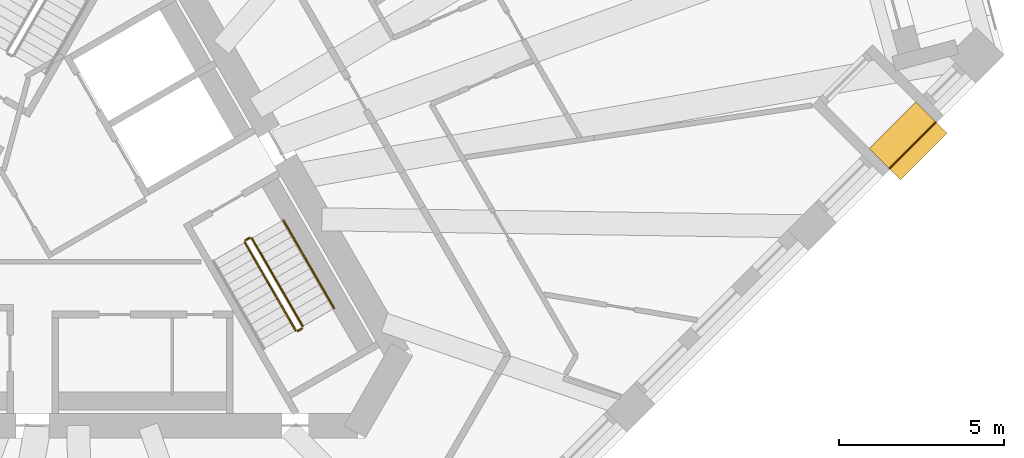
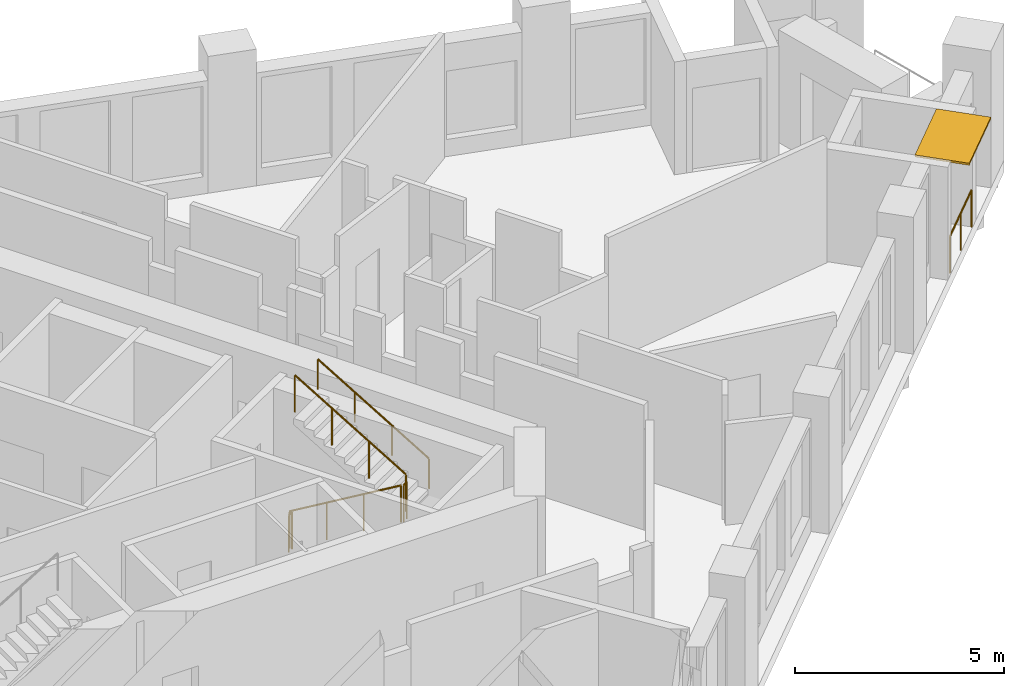
# One storey, part 11 of 13: 6 railings, 1 shading device.
"""IFC4 building model written with IfcOpenShell, lengths in metres."""

from ifc_helpers import new_model, si_unit, direction, frame, origin, origin_2d, place, context, subcontext, project, spatial, rectangle, circle, extrude, material, layer, layer_set, type_object, element, save


model = new_model("IFC4")

# Units and contexts
model_context = context("Model", 3, precision=1e-05, world=origin(), true_north=direction((0.0, 1.0)))
body_context = subcontext(model_context, "Body", "Model", "MODEL_VIEW")
ifc_project = project(units=[si_unit("LENGTHUNIT", "METRE"), si_unit("AREAUNIT", "SQUARE_METRE"), si_unit("VOLUMEUNIT", "CUBIC_METRE"), si_unit("PLANEANGLEUNIT", "RADIAN"), si_unit("MASSUNIT", "GRAM", prefix="KILO")], contexts=[model_context])

# Site, building, storey
site_placement = place(None, origin())
site = spatial("IfcSite", under=ifc_project, at=site_placement, CompositionType="ELEMENT")
building_placement = place(site_placement, origin())
building = spatial("IfcBuilding", under=site, at=building_placement, Name="Tramontana Tower", CompositionType="ELEMENT")
storey_placement = place(building_placement, frame((0.0, 0.0, 220.0)))
storey = spatial("IfcBuildingStorey", under=building, at=storey_placement, Name="L51", CompositionType="ELEMENT", Elevation=220.0)

# Railing
ifc_material_1 = material(Name="Laminated glass balustrade", Category="glass")
railing_type_1 = type_object("IfcRailingType", Name="GD1 Loggia glass balustrade 1100", PredefinedType="BALUSTRADE", material=ifc_material_1)
railing_1_placement = place(storey_placement, frame((24.718017578125, 1.426025390625, 0.0)))
element("IfcRailing", 1, at=railing_1_placement, inside=storey, type_object=railing_type_1, Name="Loggia balustrade L51 G5S1.16", PredefinedType="BALUSTRADE", context=body_context, shape_type="SweptSolid", body=[
    extrude(circle(Radius=0.02392578125, at=origin_2d()), frame((0.0, 0.0, 1.076171875), z_axis=(0.707106781187, 0.707106781187, 0.0), x_axis=(-0.707106781187, 0.707106781187, 0.0)), (0.0, 0.0, 1.0), 1.998046875),
    extrude(circle(Radius=0.02099609375, at=origin_2d()), origin(), (0.0, 0.0, 1.0), 1.052001953125),
    extrude(circle(Radius=0.02099609375, at=origin_2d()), frame((0.70654296875, 0.70654296875, 0.0)), (0.0, 0.0, 1.0), 1.052001953125),
    extrude(circle(Radius=0.02099609375, at=origin_2d()), frame((1.412841796875, 1.412841796875, 0.0)), (0.0, 0.0, 1.0), 1.052001953125),
])

# Shading device
ifc_material_2 = material(Name="Precast concrete 60 MPa", Category="concrete")
ifc_layer = layer(ifc_material_2, 0.06005859375)
ifc_layer_set = layer_set([ifc_layer], Name="SS1 Stone sunshade blade 60")
shading_device_type = type_object("IfcShadingDeviceType", Name="SS1 Stone sunshade blade 60", PredefinedType="USERDEFINED", material=ifc_layer_set)
shading_device_placement = place(storey_placement, frame((25.28662109375, 2.270263671875, 3.239990234375), z_axis=(0.0, 0.0, 1.0), x_axis=(0.707106781187, 0.707106781187, 0.0)))
element("IfcShadingDevice", 2, at=shading_device_placement, inside=storey, type_object=shading_device_type, Name="Sunshade L51 G5S1.16", ObjectType="SUNSHADE", PredefinedType="USERDEFINED", context=body_context, shape_type="SweptSolid", body=[
    extrude(rectangle(XDim=1.998046875, YDim=1.35009765625, at=origin_2d()), origin(), (0.0, 0.0, 1.0), 0.06005859375),
])

# Railings
ifc_material_3 = material(Name="Painted steel", Category="steel")
railing_type_2 = type_object("IfcRailingType", Name="STAIR GUARD 1100", PredefinedType="GUARDRAIL", material=ifc_material_3)
railing_2_placement = place(storey_placement, frame((5.1474609375, -0.815673828125, 0.166748046875)))
element("IfcRailing", 3, at=railing_2_placement, inside=storey, type_object=railing_type_2, Name="L51 ST3 stair guard 1", PredefinedType="GUARDRAIL", context=body_context, shape_type="SweptSolid", body=[
    extrude(circle(Radius=0.02392578125, at=origin_2d()), frame((0.0, 0.0, 1.076171875), z_axis=(0.429671193721, -0.744159446956, 0.511477646425), x_axis=(0.866010015463, 0.500026652407, 0.0)), (0.0, 0.0, 1.0), 3.584228515625),
    extrude(circle(Radius=0.02099609375, at=origin_2d()), origin(), (0.0, 0.0, 1.0), 1.052001953125),
    extrude(circle(Radius=0.02099609375, at=origin_2d()), frame((0.513427734375, -0.88916015625, 0.611083984375)), (0.0, 0.0, 1.0), 1.052001953125),
    extrude(circle(Radius=0.02099609375, at=origin_2d()), frame((1.026611328125, -1.778076171875, 1.22216796875)), (0.0, 0.0, 1.0), 1.052001953125),
    extrude(circle(Radius=0.02099609375, at=origin_2d()), frame((1.5400390625, -2.667236328125, 1.833251953125)), (0.0, 0.0, 1.0), 1.052001953125),
])
railing_3_placement = place(storey_placement, frame((6.90380859375, -3.35791015625, 2.166748046875)))
element("IfcRailing", 4, at=railing_3_placement, inside=storey, type_object=railing_type_2, Name="L51 ST3 stair guard 2", PredefinedType="GUARDRAIL", context=body_context, shape_type="SweptSolid", body=[
    extrude(circle(Radius=0.02392578125, at=origin_2d()), frame((0.0, 0.0, 1.076171875), z_axis=(-0.429615651263, 0.74418122563, 0.511492615401), x_axis=(-0.866044340336, -0.499967199496, 0.0)), (0.0, 0.0, 1.0), 3.584228515625),
    extrude(circle(Radius=0.02099609375, at=origin_2d()), origin(), (0.0, 0.0, 1.0), 1.052001953125),
    extrude(circle(Radius=0.02099609375, at=origin_2d()), frame((-0.51318359375, 0.88916015625, 0.611083984375)), (0.0, 0.0, 1.0), 1.052001953125),
    extrude(circle(Radius=0.02099609375, at=origin_2d()), frame((-1.026611328125, 1.778076171875, 1.22216796875)), (0.0, 0.0, 1.0), 1.052001953125),
    extrude(circle(Radius=0.02099609375, at=origin_2d()), frame((-1.539794921875, 2.667236328125, 1.833251953125)), (0.0, 0.0, 1.0), 1.052001953125),
])
for number, where, name in (
    (5, (6.755615234375, -3.501220703125, 2.0), "L51 ST3 stair guard 3"),
    (6, (5.165771484375, -0.747314453125, 0.0), "L51 ST3 stair guard 4"),
):
    element("IfcRailing", number, at=place(storey_placement, frame(where)), inside=storey, type_object=railing_type_2, Name=name, PredefinedType="GUARDRAIL", context=body_context, shape_type="SweptSolid", body=[
        extrude(circle(Radius=0.02392578125, at=origin_2d()), frame((0.0, 0.0, 1.076171875), z_axis=(0.866131372301, 0.499816412211, 0.0), x_axis=(-0.499816412211, 0.866131372301, 0.0)), (0.0, 0.0, 1.0), 0.14990234375),
        extrude(circle(Radius=0.02099609375, at=origin_2d()), origin(), (0.0, 0.0, 1.0), 1.052001953125),
        extrude(circle(Radius=0.02099609375, at=origin_2d()), frame((0.1298828125, 0.074951171875, 0.0)), (0.0, 0.0, 1.0), 1.052001953125),
    ])
ifc_material_4 = material(Name="Painted steel", Category="steel")
railing_type_3 = type_object("IfcRailingType", Name="STAIR HANDRAIL 900", PredefinedType="HANDRAIL", material=ifc_material_4)
railing_4_placement = place(storey_placement, frame((7.8564453125, -2.807861328125, 2.166748046875)))
element("IfcRailing", 7, at=railing_4_placement, inside=storey, type_object=railing_type_3, Name="L51 ST3 stair handrail 2", PredefinedType="HANDRAIL", context=body_context, shape_type="SweptSolid", body=[
    extrude(circle(Radius=0.02392578125, at=origin_2d()), frame((0.0, 0.0, 0.8759765625), z_axis=(-0.429615651263, 0.74418122563, 0.511492615401), x_axis=(-0.866044340336, -0.499967199496, 0.0)), (0.0, 0.0, 1.0), 3.584228515625),
    extrude(circle(Radius=0.02099609375, at=origin_2d()), origin(), (0.0, 0.0, 1.0), 0.851806640625),
    extrude(circle(Radius=0.02099609375, at=origin_2d()), frame((-0.51318359375, 0.88916015625, 0.611083984375)), (0.0, 0.0, 1.0), 0.851806640625),
    extrude(circle(Radius=0.02099609375, at=origin_2d()), frame((-1.026611328125, 1.778076171875, 1.22216796875)), (0.0, 0.0, 1.0), 0.851806640625),
    extrude(circle(Radius=0.02099609375, at=origin_2d()), frame((-1.539794921875, 2.667236328125, 1.833251953125)), (0.0, 0.0, 1.0), 0.851806640625),
])

save(model, "model.ifc")
